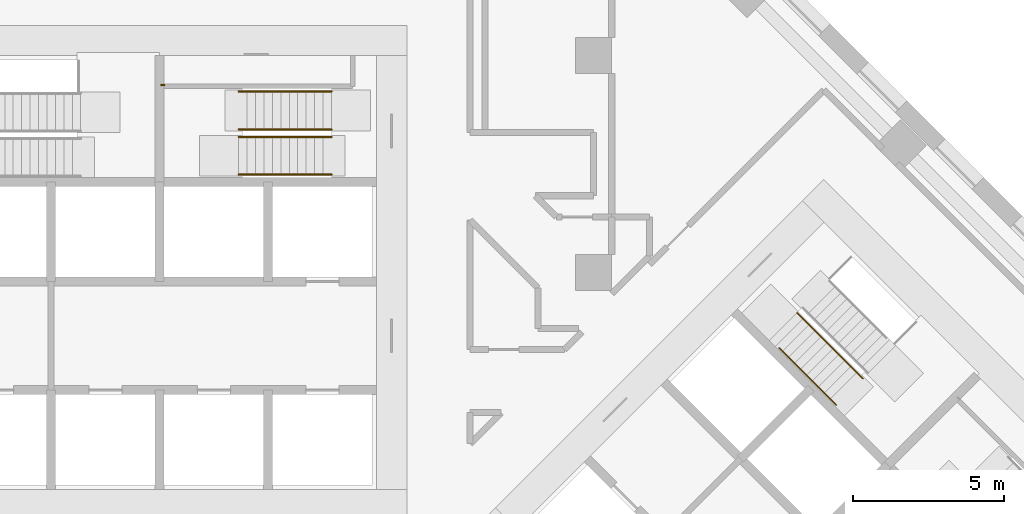
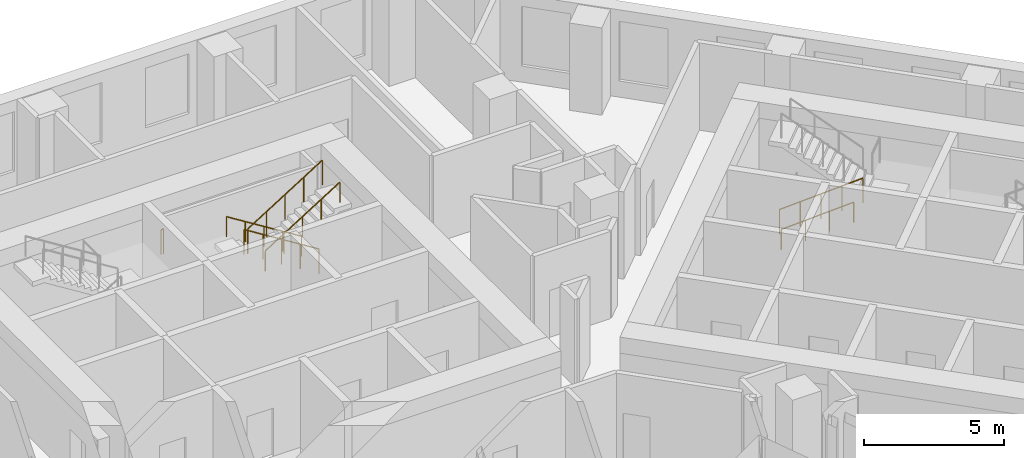
# One storey, part 13 of 14: 7 railings.
"""IFC4 building model written with IfcOpenShell, lengths in metres."""

from ifc_helpers import new_model, si_unit, direction, frame, origin, origin_2d, place, context, subcontext, project, spatial, circle, extrude, material, type_object, element, save


model = new_model("IFC4")

# Units and contexts
model_context = context("Model", 3, precision=1e-05, world=origin(), true_north=direction((0.0, 1.0)))
body_context = subcontext(model_context, "Body", "Model", "MODEL_VIEW")
ifc_project = project(units=[si_unit("LENGTHUNIT", "METRE"), si_unit("AREAUNIT", "SQUARE_METRE"), si_unit("VOLUMEUNIT", "CUBIC_METRE"), si_unit("PLANEANGLEUNIT", "RADIAN"), si_unit("MASSUNIT", "GRAM", prefix="KILO")], contexts=[model_context])

# Site, building, storey
site_placement = place(None, origin())
site = spatial("IfcSite", under=ifc_project, at=site_placement, CompositionType="ELEMENT")
building_placement = place(site_placement, origin())
building = spatial("IfcBuilding", under=site, at=building_placement, Name="Windrow Commons", CompositionType="ELEMENT")
storey_placement = place(building_placement, frame((0.0, 0.0, 10.2)))
storey = spatial("IfcBuildingStorey", under=building, at=storey_placement, Name="L02", CompositionType="ELEMENT", Elevation=10.2)

# Railings
ifc_material_1 = material(Name="Steel S355", Category="steel")
railing_type_1 = type_object("IfcRailingType", Name="Core stair guard 1100", PredefinedType="GUARDRAIL", material=ifc_material_1)
railing_1_placement = place(storey_placement, frame((70.5, 62.355, 0.175)))
element("IfcRailing", 1, at=railing_1_placement, inside=storey, type_object=railing_type_1, Name="L02 ST-A2 stair guard 1", PredefinedType="GUARDRAIL", context=body_context, shape_type="SweptSolid", body=[
    extrude(circle(Radius=0.024, at=origin_2d()), frame((0.0, 0.0, 1.076), z_axis=(-0.847998304, 0.0, 0.52999894), x_axis=(0.0, -1.0, 0.0)), (0.0, 0.0, 1.0), 3.6321),
    extrude(circle(Radius=0.021, at=origin_2d()), origin(), (0.0, 0.0, 1.0), 1.052),
    extrude(circle(Radius=0.021, at=origin_2d()), frame((-0.77, 0.0, 0.4813)), (0.0, 0.0, 1.0), 1.052),
    extrude(circle(Radius=0.021, at=origin_2d()), frame((-1.54, 0.0, 0.9625)), (0.0, 0.0, 1.0), 1.052),
    extrude(circle(Radius=0.021, at=origin_2d()), frame((-2.31, 0.0, 1.4438)), (0.0, 0.0, 1.0), 1.052),
    extrude(circle(Radius=0.021, at=origin_2d()), frame((-3.08, 0.0, 1.925)), (0.0, 0.0, 1.0), 1.052),
])
railing_2_placement = place(storey_placement, frame((67.42, 62.105, 2.275)))
element("IfcRailing", 2, at=railing_2_placement, inside=storey, type_object=railing_type_1, Name="L02 ST-A2 stair guard 2", PredefinedType="GUARDRAIL", context=body_context, shape_type="SweptSolid", body=[
    extrude(circle(Radius=0.024, at=origin_2d()), frame((0.0, 0.0, 1.076), z_axis=(0.847998304, 0.0, 0.52999894), x_axis=(0.0, 1.0, 0.0)), (0.0, 0.0, 1.0), 3.6321),
    extrude(circle(Radius=0.021, at=origin_2d()), origin(), (0.0, 0.0, 1.0), 1.052),
    extrude(circle(Radius=0.021, at=origin_2d()), frame((0.77, 0.0, 0.4813)), (0.0, 0.0, 1.0), 1.052),
    extrude(circle(Radius=0.021, at=origin_2d()), frame((1.54, 0.0, 0.9625)), (0.0, 0.0, 1.0), 1.052),
    extrude(circle(Radius=0.021, at=origin_2d()), frame((2.31, 0.0, 1.4438)), (0.0, 0.0, 1.0), 1.052),
    extrude(circle(Radius=0.021, at=origin_2d()), frame((3.08, 0.0, 1.925)), (0.0, 0.0, 1.0), 1.052),
])
railing_3_placement = place(storey_placement, frame((64.95, 63.825, 2.1)))
element("IfcRailing", 3, at=railing_3_placement, inside=storey, type_object=railing_type_1, Name="L02 ST-A2 stair guard 3", PredefinedType="GUARDRAIL", context=body_context, shape_type="SweptSolid", body=[
    extrude(circle(Radius=0.024, at=origin_2d()), frame((0.0, 0.0, 1.076), z_axis=(-1.0, 0.0, 0.0), x_axis=(0.0, -1.0, 0.0)), (0.0, 0.0, 1.0), 0.1),
    extrude(circle(Radius=0.021, at=origin_2d()), origin(), (0.0, 0.0, 1.0), 1.052),
    extrude(circle(Radius=0.021, at=origin_2d()), frame((-0.1, 0.0, 0.0)), (0.0, 0.0, 1.0), 1.052),
])
railing_4_placement = place(storey_placement, frame((85.9529, 56.2669, 0.175)))
element("IfcRailing", 4, at=railing_4_placement, inside=storey, type_object=railing_type_1, Name="L02 ST-B1 stair guard 1", PredefinedType="GUARDRAIL", context=body_context, shape_type="SweptSolid", body=[
    extrude(circle(Radius=0.024, at=origin_2d()), frame((0.0, 0.0, 1.076), z_axis=(0.5996262107, -0.5996262107, 0.5299969951), x_axis=(0.7071067812, 0.7071067812, 0.0)), (0.0, 0.0, 1.0), 3.6321),
    extrude(circle(Radius=0.021, at=origin_2d()), origin(), (0.0, 0.0, 1.0), 1.052),
    extrude(circle(Radius=0.021, at=origin_2d()), frame((0.5445, -0.5445, 0.4813)), (0.0, 0.0, 1.0), 1.052),
    extrude(circle(Radius=0.021, at=origin_2d()), frame((1.0889, -1.089, 0.9625)), (0.0, 0.0, 1.0), 1.052),
    extrude(circle(Radius=0.021, at=origin_2d()), frame((1.6334, -1.6334, 1.4438)), (0.0, 0.0, 1.0), 1.052),
    extrude(circle(Radius=0.021, at=origin_2d()), frame((2.1779, -2.1779, 1.925)), (0.0, 0.0, 1.0), 1.052),
])
ifc_material_2 = material(Name="Steel S355", Category="steel")
railing_type_2 = type_object("IfcRailingType", Name="Core stair handrail 900", PredefinedType="HANDRAIL", material=ifc_material_2)
railing_5_placement = place(storey_placement, frame((70.5, 63.605, 0.175)))
element("IfcRailing", 5, at=railing_5_placement, inside=storey, type_object=railing_type_2, Name="L02 ST-A2 stair handrail 1", PredefinedType="HANDRAIL", context=body_context, shape_type="SweptSolid", body=[
    extrude(circle(Radius=0.024, at=origin_2d()), frame((0.0, 0.0, 0.876), z_axis=(-0.847998304, 0.0, 0.52999894), x_axis=(0.0, -1.0, 0.0)), (0.0, 0.0, 1.0), 3.6321),
    extrude(circle(Radius=0.021, at=origin_2d()), origin(), (0.0, 0.0, 1.0), 0.852),
    extrude(circle(Radius=0.021, at=origin_2d()), frame((-0.77, 0.0, 0.4813)), (0.0, 0.0, 1.0), 0.852),
    extrude(circle(Radius=0.021, at=origin_2d()), frame((-1.54, 0.0, 0.9625)), (0.0, 0.0, 1.0), 0.852),
    extrude(circle(Radius=0.021, at=origin_2d()), frame((-2.31, 0.0, 1.4438)), (0.0, 0.0, 1.0), 0.852),
    extrude(circle(Radius=0.021, at=origin_2d()), frame((-3.08, 0.0, 1.925)), (0.0, 0.0, 1.0), 0.852),
])
railing_6_placement = place(storey_placement, frame((67.42, 60.855, 2.275)))
element("IfcRailing", 6, at=railing_6_placement, inside=storey, type_object=railing_type_2, Name="L02 ST-A2 stair handrail 2", PredefinedType="HANDRAIL", context=body_context, shape_type="SweptSolid", body=[
    extrude(circle(Radius=0.024, at=origin_2d()), frame((0.0, 0.0, 0.876), z_axis=(0.847998304, 0.0, 0.52999894), x_axis=(0.0, 1.0, 0.0)), (0.0, 0.0, 1.0), 3.6321),
    extrude(circle(Radius=0.021, at=origin_2d()), origin(), (0.0, 0.0, 1.0), 0.852),
    extrude(circle(Radius=0.021, at=origin_2d()), frame((0.77, 0.0, 0.4813)), (0.0, 0.0, 1.0), 0.852),
    extrude(circle(Radius=0.021, at=origin_2d()), frame((1.54, 0.0, 0.9625)), (0.0, 0.0, 1.0), 0.852),
    extrude(circle(Radius=0.021, at=origin_2d()), frame((2.31, 0.0, 1.4438)), (0.0, 0.0, 1.0), 0.852),
    extrude(circle(Radius=0.021, at=origin_2d()), frame((3.08, 0.0, 1.925)), (0.0, 0.0, 1.0), 0.852),
])
railing_7_placement = place(storey_placement, frame((85.3518, 55.1001, 0.425)))
element("IfcRailing", 7, at=railing_7_placement, inside=storey, type_object=railing_type_2, Name="L02 ST-B1 stair handrail 1", PredefinedType="HANDRAIL", context=body_context, shape_type="SweptSolid", body=[
    extrude(circle(Radius=0.024, at=origin_2d()), frame((0.0, 0.0, 0.876), z_axis=(0.599641512, -0.5996098703, 0.5299981703), x_axis=(0.7070881243, 0.7071254376, 0.0)), (0.0, 0.0, 1.0), 3.1604),
    extrude(circle(Radius=0.021, at=origin_2d()), origin(), (0.0, 0.0, 1.0), 0.852),
    extrude(circle(Radius=0.021, at=origin_2d()), frame((0.6317, -0.6317, 0.5583)), (0.0, 0.0, 1.0), 0.852),
    extrude(circle(Radius=0.021, at=origin_2d()), frame((1.2634, -1.2633, 1.1167)), (0.0, 0.0, 1.0), 0.852),
    extrude(circle(Radius=0.021, at=origin_2d()), frame((1.8951, -1.895, 1.675)), (0.0, 0.0, 1.0), 0.852),
])

save(model, "model.ifc")
